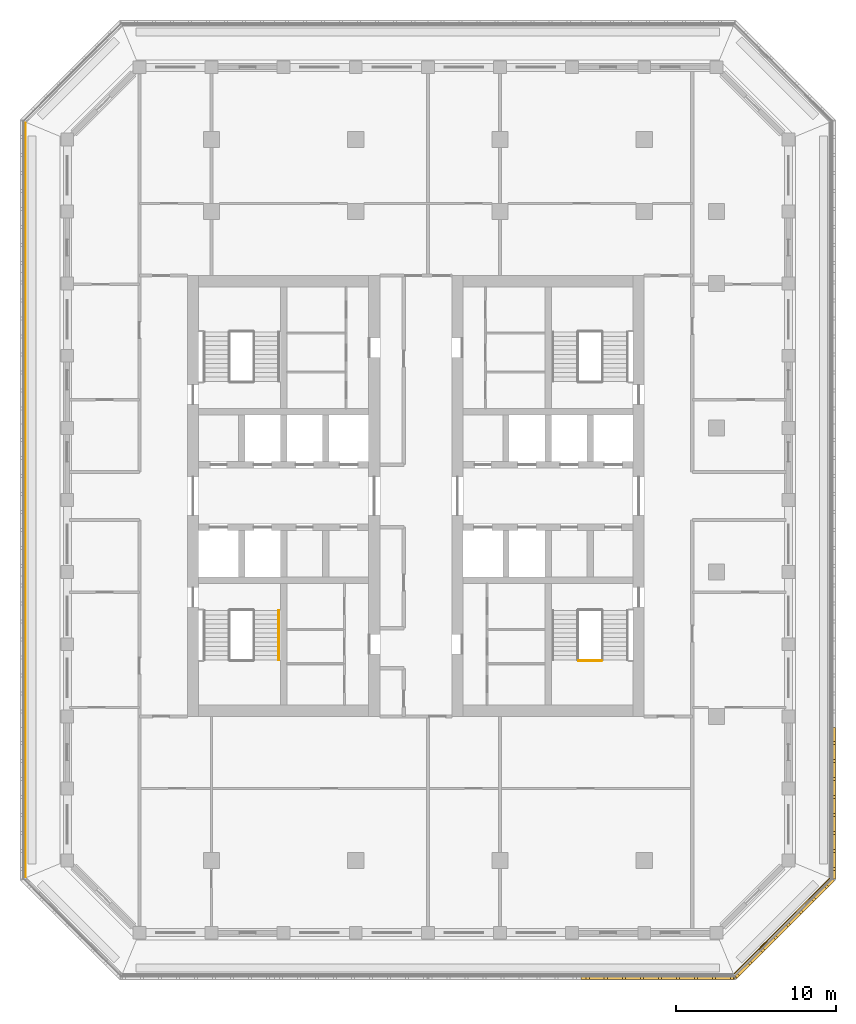
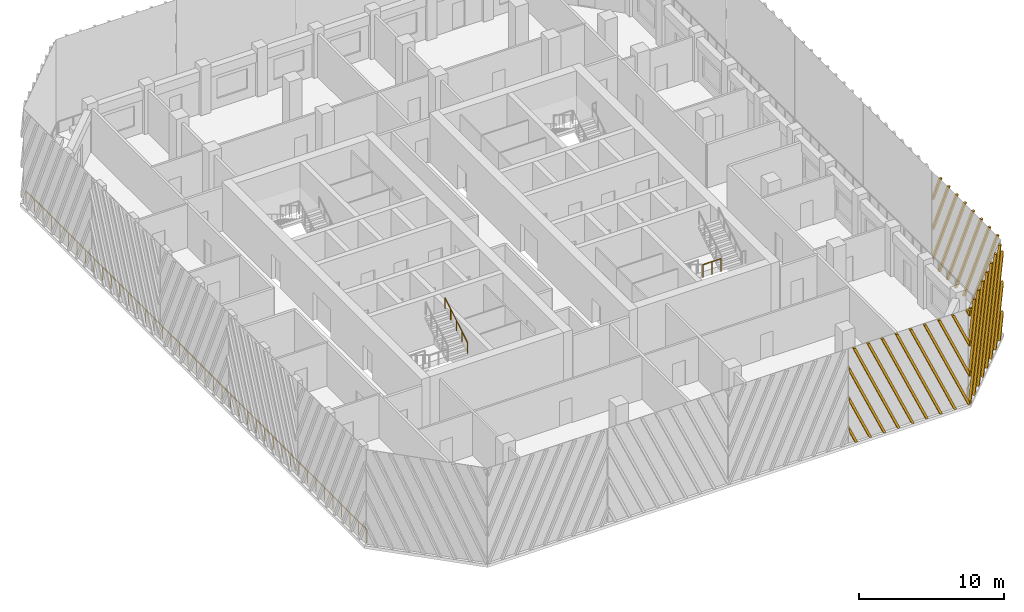
# One storey, part 11 of 17: 4 railings, 3 shading devices.
"""IFC4 building model written with IfcOpenShell, lengths in metres."""

from ifc_helpers import new_model, si_unit, direction, frame, origin, origin_2d, place, context, subcontext, project, spatial, polyline, circle, outline, extrude, source, transform, mapped, material, type_object, element, save


model = new_model("IFC4")

# Units and contexts
model_context = context("Model", 3, precision=1e-05, world=origin(), true_north=direction((0.0, 1.0)))
body_context = subcontext(model_context, "Body", "Model", "MODEL_VIEW")
ifc_project = project(units=[si_unit("LENGTHUNIT", "METRE"), si_unit("AREAUNIT", "SQUARE_METRE"), si_unit("VOLUMEUNIT", "CUBIC_METRE"), si_unit("PLANEANGLEUNIT", "RADIAN"), si_unit("MASSUNIT", "GRAM", prefix="KILO")], contexts=[model_context])

# Site, building, storey
site_placement = place(None, origin())
site = spatial("IfcSite", under=ifc_project, at=site_placement, CompositionType="ELEMENT")
building_placement = place(site_placement, origin())
building = spatial("IfcBuilding", under=site, at=building_placement, Name="Corbel Stack Research Tower", CompositionType="ELEMENT")
storey_placement = place(building_placement, frame((0.0, 0.0, 248.0)))
storey = spatial("IfcBuildingStorey", under=building, at=storey_placement, Name="L56", CompositionType="ELEMENT", Elevation=248.0)

# Railings
ifc_material_1 = material(Name="Steel S355", Category="steel")
railing_type_1 = type_object("IfcRailingType", Name="Stair guard 1100", PredefinedType="GUARDRAIL", material=ifc_material_1)
railing_1_placement = place(storey_placement, frame((13.89990234375, -5.530029296875, 2.050048828125)))
element("IfcRailing", 1, at=railing_1_placement, inside=storey, type_object=railing_type_1, Name="L56 ST-E1 stair guard 2", PredefinedType="GUARDRAIL", context=body_context, shape_type="SweptSolid", body=[
    extrude(circle(Radius=0.02392578125, at=origin_2d()), frame((0.0, 0.0, 1.076171875), z_axis=(1.0, 0.0, 0.0), x_axis=(0.0, 1.0, 0.0)), (0.0, 0.0, 1.0), 1.4501953125),
    extrude(circle(Radius=0.02099609375, at=origin_2d()), origin(), (0.0, 0.0, 1.0), 1.052001953125),
    extrude(circle(Radius=0.02099609375, at=origin_2d()), frame((0.72509765625, 0.0, 0.0)), (0.0, 0.0, 1.0), 1.052001953125),
    extrude(circle(Radius=0.02099609375, at=origin_2d()), frame((1.4501953125, 0.0, 0.0)), (0.0, 0.0, 1.0), 1.052001953125),
])
ifc_material_2 = material(Name="Steel S355", Category="steel")
railing_type_2 = type_object("IfcRailingType", Name="Stair handrail 900", PredefinedType="HANDRAIL", material=ifc_material_2)
railing_2_placement = place(storey_placement, frame((-4.800048828125, -5.47998046875, 2.220947265625)))
element("IfcRailing", 2, at=railing_2_placement, inside=storey, type_object=railing_type_2, Name="L56 ST-W1 stair handrail 2", PredefinedType="HANDRAIL", context=body_context, shape_type="SweptSolid", body=[
    extrude(circle(Radius=0.02392578125, at=origin_2d()), frame((0.0, 0.0, 0.8759765625), z_axis=(0.0, 0.853666305674, 0.52082035152), x_axis=(-1.0, 0.0, 0.0)), (0.0, 0.0, 1.0), 3.608154296875),
    extrude(circle(Radius=0.02099609375, at=origin_2d()), origin(), (0.0, 0.0, 1.0), 0.851806640625),
    extrude(circle(Radius=0.02099609375, at=origin_2d()), frame((0.0, 0.77001953125, 0.4697265625)), (0.0, 0.0, 1.0), 0.851806640625),
    extrude(circle(Radius=0.02099609375, at=origin_2d()), frame((0.0, 1.5400390625, 0.939453125)), (0.0, 0.0, 1.0), 0.851806640625),
    extrude(circle(Radius=0.02099609375, at=origin_2d()), frame((0.0, 2.31005859375, 1.409423828125)), (0.0, 0.0, 1.0), 0.851806640625),
    extrude(circle(Radius=0.02099609375, at=origin_2d()), frame((0.0, 3.080078125, 1.879150390625)), (0.0, 0.0, 1.0), 0.851806640625),
])
ifc_material_3 = material(Name="Powder-coated steel guard", Category="steel")
railing_type_3 = type_object("IfcRailingType", Name="Steel and glass guard 1100", PredefinedType="GUARDRAIL", material=ifc_material_3)
railing_3_placement = place(storey_placement, frame((23.627685546875, -25.04931640625, 0.0)))
element("IfcRailing", 3, at=railing_3_placement, inside=storey, type_object=railing_type_3, Name="Loggia guard L56 SE", PredefinedType="GUARDRAIL", context=body_context, shape_type="SweptSolid", body=[
    extrude(circle(Radius=0.02392578125, at=origin_2d()), frame((0.0, 0.0, 1.076171875), z_axis=(0.707106781187, 0.707106781187, 0.0), x_axis=(-0.707106781187, 0.707106781187, 0.0)), (0.0, 0.0, 1.0), 8.37451171875),
    extrude(circle(Radius=0.02099609375, at=origin_2d()), origin(), (0.0, 0.0, 1.0), 1.052001953125),
    extrude(circle(Radius=0.02099609375, at=origin_2d()), frame((0.845947265625, 0.845947265625, 0.0)), (0.0, 0.0, 1.0), 1.052001953125),
    extrude(circle(Radius=0.02099609375, at=origin_2d()), frame((1.69189453125, 1.69189453125, 0.0)), (0.0, 0.0, 1.0), 1.052001953125),
    extrude(circle(Radius=0.02099609375, at=origin_2d()), frame((2.537841796875, 2.537841796875, 0.0)), (0.0, 0.0, 1.0), 1.052001953125),
    extrude(circle(Radius=0.02099609375, at=origin_2d()), frame((3.3837890625, 3.3837890625, 0.0)), (0.0, 0.0, 1.0), 1.052001953125),
    extrude(circle(Radius=0.02099609375, at=origin_2d()), frame((4.229736328125, 4.229736328125, 0.0)), (0.0, 0.0, 1.0), 1.052001953125),
    extrude(circle(Radius=0.02099609375, at=origin_2d()), frame((5.07568359375, 5.07568359375, 0.0)), (0.0, 0.0, 1.0), 1.052001953125),
    extrude(circle(Radius=0.02099609375, at=origin_2d()), frame((5.921630859375, 5.921630859375, 0.0)), (0.0, 0.0, 1.0), 1.052001953125),
])
railing_4_placement = place(storey_placement, frame((-20.60009765625, 28.00537109375, 0.0)))
element("IfcRailing", 4, at=railing_4_placement, inside=storey, type_object=railing_type_3, Name="Loggia guard L56 W", PredefinedType="GUARDRAIL", context=body_context, shape_type="SweptSolid", body=[
    extrude(circle(Radius=0.02392578125, at=origin_2d()), frame((0.0, 0.0, 1.076171875), z_axis=(0.0, -1.0, 0.0), x_axis=(1.0, 0.0, 0.0)), (0.0, 0.0, 1.0), 47.0107421875),
    extrude(circle(Radius=0.02099609375, at=origin_2d()), origin(), (0.0, 0.0, 1.0), 1.052001953125),
    extrude(circle(Radius=0.02099609375, at=origin_2d()), frame((0.0, -1.17529296875, 0.0)), (0.0, 0.0, 1.0), 1.052001953125),
    extrude(circle(Radius=0.02099609375, at=origin_2d()), frame((0.0, -2.3505859375, 0.0)), (0.0, 0.0, 1.0), 1.052001953125),
    extrude(circle(Radius=0.02099609375, at=origin_2d()), frame((0.0, -3.52587890625, 0.0)), (0.0, 0.0, 1.0), 1.052001953125),
    extrude(circle(Radius=0.02099609375, at=origin_2d()), frame((0.0, -4.701171875, 0.0)), (0.0, 0.0, 1.0), 1.052001953125),
    extrude(circle(Radius=0.02099609375, at=origin_2d()), frame((0.0, -5.87646484375, 0.0)), (0.0, 0.0, 1.0), 1.052001953125),
    extrude(circle(Radius=0.02099609375, at=origin_2d()), frame((0.0, -7.051513671875, 0.0)), (0.0, 0.0, 1.0), 1.052001953125),
    extrude(circle(Radius=0.02099609375, at=origin_2d()), frame((0.0, -8.226806640625, 0.0)), (0.0, 0.0, 1.0), 1.052001953125),
    extrude(circle(Radius=0.02099609375, at=origin_2d()), frame((0.0, -9.402099609375, 0.0)), (0.0, 0.0, 1.0), 1.052001953125),
    extrude(circle(Radius=0.02099609375, at=origin_2d()), frame((0.0, -10.577392578125, 0.0)), (0.0, 0.0, 1.0), 1.052001953125),
    extrude(circle(Radius=0.02099609375, at=origin_2d()), frame((0.0, -11.752685546875, 0.0)), (0.0, 0.0, 1.0), 1.052001953125),
    extrude(circle(Radius=0.02099609375, at=origin_2d()), frame((0.0, -12.927978515625, 0.0)), (0.0, 0.0, 1.0), 1.052001953125),
    extrude(circle(Radius=0.02099609375, at=origin_2d()), frame((0.0, -14.103271484375, 0.0)), (0.0, 0.0, 1.0), 1.052001953125),
    extrude(circle(Radius=0.02099609375, at=origin_2d()), frame((0.0, -15.278564453125, 0.0)), (0.0, 0.0, 1.0), 1.052001953125),
    extrude(circle(Radius=0.02099609375, at=origin_2d()), frame((0.0, -16.453857421875, 0.0)), (0.0, 0.0, 1.0), 1.052001953125),
    extrude(circle(Radius=0.02099609375, at=origin_2d()), frame((0.0, -17.62890625, 0.0)), (0.0, 0.0, 1.0), 1.052001953125),
    extrude(circle(Radius=0.02099609375, at=origin_2d()), frame((0.0, -18.80419921875, 0.0)), (0.0, 0.0, 1.0), 1.052001953125),
    extrude(circle(Radius=0.02099609375, at=origin_2d()), frame((0.0, -19.9794921875, 0.0)), (0.0, 0.0, 1.0), 1.052001953125),
    extrude(circle(Radius=0.02099609375, at=origin_2d()), frame((0.0, -21.15478515625, 0.0)), (0.0, 0.0, 1.0), 1.052001953125),
    extrude(circle(Radius=0.02099609375, at=origin_2d()), frame((0.0, -22.330078125, 0.0)), (0.0, 0.0, 1.0), 1.052001953125),
    extrude(circle(Radius=0.02099609375, at=origin_2d()), frame((0.0, -23.50537109375, 0.0)), (0.0, 0.0, 1.0), 1.052001953125),
    extrude(circle(Radius=0.02099609375, at=origin_2d()), frame((0.0, -24.6806640625, 0.0)), (0.0, 0.0, 1.0), 1.052001953125),
    extrude(circle(Radius=0.02099609375, at=origin_2d()), frame((0.0, -25.85595703125, 0.0)), (0.0, 0.0, 1.0), 1.052001953125),
    extrude(circle(Radius=0.02099609375, at=origin_2d()), frame((0.0, -27.03125, 0.0)), (0.0, 0.0, 1.0), 1.052001953125),
    extrude(circle(Radius=0.02099609375, at=origin_2d()), frame((0.0, -28.20654296875, 0.0)), (0.0, 0.0, 1.0), 1.052001953125),
    extrude(circle(Radius=0.02099609375, at=origin_2d()), frame((0.0, -29.3818359375, 0.0)), (0.0, 0.0, 1.0), 1.052001953125),
    extrude(circle(Radius=0.02099609375, at=origin_2d()), frame((0.0, -30.556884765625, 0.0)), (0.0, 0.0, 1.0), 1.052001953125),
    extrude(circle(Radius=0.02099609375, at=origin_2d()), frame((0.0, -31.732177734375, 0.0)), (0.0, 0.0, 1.0), 1.052001953125),
    extrude(circle(Radius=0.02099609375, at=origin_2d()), frame((0.0, -32.907470703125, 0.0)), (0.0, 0.0, 1.0), 1.052001953125),
    extrude(circle(Radius=0.02099609375, at=origin_2d()), frame((0.0, -34.082763671875, 0.0)), (0.0, 0.0, 1.0), 1.052001953125),
    extrude(circle(Radius=0.02099609375, at=origin_2d()), frame((0.0, -35.258056640625, 0.0)), (0.0, 0.0, 1.0), 1.052001953125),
    extrude(circle(Radius=0.02099609375, at=origin_2d()), frame((0.0, -36.433349609375, 0.0)), (0.0, 0.0, 1.0), 1.052001953125),
    extrude(circle(Radius=0.02099609375, at=origin_2d()), frame((0.0, -37.608642578125, 0.0)), (0.0, 0.0, 1.0), 1.052001953125),
    extrude(circle(Radius=0.02099609375, at=origin_2d()), frame((0.0, -38.783935546875, 0.0)), (0.0, 0.0, 1.0), 1.052001953125),
    extrude(circle(Radius=0.02099609375, at=origin_2d()), frame((0.0, -39.959228515625, 0.0)), (0.0, 0.0, 1.0), 1.052001953125),
    extrude(circle(Radius=0.02099609375, at=origin_2d()), frame((0.0, -41.13427734375, 0.0)), (0.0, 0.0, 1.0), 1.052001953125),
    extrude(circle(Radius=0.02099609375, at=origin_2d()), frame((0.0, -42.3095703125, 0.0)), (0.0, 0.0, 1.0), 1.052001953125),
    extrude(circle(Radius=0.02099609375, at=origin_2d()), frame((0.0, -43.48486328125, 0.0)), (0.0, 0.0, 1.0), 1.052001953125),
    extrude(circle(Radius=0.02099609375, at=origin_2d()), frame((0.0, -44.66015625, 0.0)), (0.0, 0.0, 1.0), 1.052001953125),
    extrude(circle(Radius=0.02099609375, at=origin_2d()), frame((0.0, -45.83544921875, 0.0)), (0.0, 0.0, 1.0), 1.052001953125),
    extrude(circle(Radius=0.02099609375, at=origin_2d()), frame((0.0, -47.0107421875, 0.0)), (0.0, 0.0, 1.0), 1.052001953125),
])

# Shading devices
ifc_material_4 = material(Name="Precast terracotta", Category="masonry")
shading_device_type = type_object("IfcShadingDeviceType", Name="Terracotta screen panel", PredefinedType="USERDEFINED", material=ifc_material_4)
shared_shape_1 = source(origin(), body_context, "Body", "SweptSolid", [
    extrude(outline(polyline([(0.66455078125, 0.0), (0.0, 1.49267578125), (0.0, 1.06591796875), (0.474609375, 0.0), (0.66455078125, 0.0)])), frame((0.0, 0.0, 0.0), z_axis=(0.0, -1.0, 0.0), x_axis=(1.0, 0.0, 0.0)), (0.0, 0.0, 1.0), 0.179931640625),
    extrude(outline(polyline([(1.78955078125, 0.0), (0.0, 4.019287109375), (0.0, 3.592529296875), (1.599609375, 0.0), (1.78955078125, 0.0)])), frame((0.0, 0.0, 0.0), z_axis=(0.0, -1.0, 0.0), x_axis=(1.0, 0.0, 0.0)), (0.0, 0.0, 1.0), 0.179931640625),
    extrude(outline(polyline([(2.91455078125, 0.0), (0.0, 6.546142578125), (0.0, 6.119384765625), (2.724609375, 0.0), (2.91455078125, 0.0)])), frame((0.0, 0.0, 0.0), z_axis=(0.0, -1.0, 0.0), x_axis=(1.0, 0.0, 0.0)), (0.0, 0.0, 1.0), 0.179931640625),
    extrude(outline(polyline([(4.03955078125, 0.0), (0.5, 7.949951171875), (0.31005859375, 7.949951171875), (3.849609375, 0.0), (4.03955078125, 0.0)])), frame((0.0, 0.0, 0.0), z_axis=(0.0, -1.0, 0.0), x_axis=(1.0, 0.0, 0.0)), (0.0, 0.0, 1.0), 0.179931640625),
    extrude(outline(polyline([(5.16455078125, 0.0), (1.625, 7.949951171875), (1.43505859375, 7.949951171875), (4.974609375, 0.0), (5.16455078125, 0.0)])), frame((0.0, 0.0, 0.0), z_axis=(0.0, -1.0, 0.0), x_axis=(1.0, 0.0, 0.0)), (0.0, 0.0, 1.0), 0.179931640625),
    extrude(outline(polyline([(6.28955078125, 0.0), (2.75, 7.949951171875), (2.56005859375, 7.949951171875), (6.099609375, 0.0), (6.28955078125, 0.0)])), frame((0.0, 0.0, 0.0), z_axis=(0.0, -1.0, 0.0), x_axis=(1.0, 0.0, 0.0)), (0.0, 0.0, 1.0), 0.179931640625),
    extrude(outline(polyline([(7.41455078125, 0.0), (3.875, 7.949951171875), (3.68505859375, 7.949951171875), (7.224609375, 0.0), (7.41455078125, 0.0)])), frame((0.0, 0.0, 0.0), z_axis=(0.0, -1.0, 0.0), x_axis=(1.0, 0.0, 0.0)), (0.0, 0.0, 1.0), 0.179931640625),
    extrude(outline(polyline([(8.53955078125, 0.0), (5.0, 7.949951171875), (4.81005859375, 7.949951171875), (8.349609375, 0.0), (8.53955078125, 0.0)])), frame((0.0, 0.0, 0.0), z_axis=(0.0, -1.0, 0.0), x_axis=(1.0, 0.0, 0.0)), (0.0, 0.0, 1.0), 0.179931640625),
    extrude(outline(polyline([(9.569580078125, 0.0), (9.569580078125, 0.21337890625), (6.125, 7.949951171875), (5.93505859375, 7.949951171875), (9.474609375, 0.0), (9.569580078125, 0.0)])), frame((0.0, 0.0, 0.0), z_axis=(0.0, -1.0, 0.0), x_axis=(1.0, 0.0, 0.0)), (0.0, 0.0, 1.0), 0.179931640625),
    extrude(outline(polyline([(7.25, 7.949951171875), (7.06005859375, 7.949951171875), (9.569580078125, 2.3134765625), (9.569580078125, 2.740234375), (7.25, 7.949951171875)])), frame((0.0, 0.0, 0.0), z_axis=(0.0, -1.0, 0.0), x_axis=(1.0, 0.0, 0.0)), (0.0, 0.0, 1.0), 0.179931640625),
    extrude(outline(polyline([(8.375, 7.949951171875), (8.18505859375, 7.949951171875), (9.569580078125, 4.840087890625), (9.569580078125, 5.26708984375), (8.375, 7.949951171875)])), frame((0.0, 0.0, 0.0), z_axis=(0.0, -1.0, 0.0), x_axis=(1.0, 0.0, 0.0)), (0.0, 0.0, 1.0), 0.179931640625),
    extrude(outline(polyline([(9.5, 7.949951171875), (9.31005859375, 7.949951171875), (9.569580078125, 7.366943359375), (9.569580078125, 7.793701171875), (9.5, 7.949951171875)])), frame((0.0, 0.0, 0.0), z_axis=(0.0, -1.0, 0.0), x_axis=(1.0, 0.0, 0.0)), (0.0, 0.0, 1.0), 0.179931640625),
])
shading_device_1_placement = place(storey_placement, frame((14.069580078125, -25.25, 0.0), z_axis=(0.0, 0.0, 1.0), x_axis=(1.0, 0.0, 0.0)))
element("IfcShadingDevice", 5, at=shading_device_1_placement, inside=storey, type_object=shading_device_type, Name="Terracotta screen L56 S4", ObjectType="SCREEN", PredefinedType="USERDEFINED", context=body_context, shape_type="MappedRepresentation", body=[
    mapped(shared_shape_1, transform((0.0, 0.0, 0.0))),
])
shared_shape_2 = source(origin(), body_context, "Body", "SweptSolid", [
    extrude(outline(polyline([(0.259521484375, 7.949951171875), (0.069580078125, 7.949951171875), (0.0, 7.793701171875), (0.0, 7.366943359375), (0.259521484375, 7.949951171875)])), frame((0.0, 0.0, 0.0), z_axis=(0.0, -1.0, 0.0), x_axis=(1.0, 0.0, 0.0)), (0.0, 0.0, 1.0), 0.179931640625),
    extrude(outline(polyline([(1.384521484375, 7.949951171875), (1.194580078125, 7.949951171875), (0.0, 5.26708984375), (0.0, 4.840087890625), (1.384521484375, 7.949951171875)])), frame((0.0, 0.0, 0.0), z_axis=(0.0, -1.0, 0.0), x_axis=(1.0, 0.0, 0.0)), (0.0, 0.0, 1.0), 0.179931640625),
    extrude(outline(polyline([(2.509521484375, 7.949951171875), (2.319580078125, 7.949951171875), (0.0, 2.740234375), (0.0, 2.3134765625), (2.509521484375, 7.949951171875)])), frame((0.0, 0.0, 0.0), z_axis=(0.0, -1.0, 0.0), x_axis=(1.0, 0.0, 0.0)), (0.0, 0.0, 1.0), 0.179931640625),
    extrude(outline(polyline([(0.094970703125, 0.0), (3.634521484375, 7.949951171875), (3.444580078125, 7.949951171875), (0.0, 0.21337890625), (0.0, 0.0), (0.094970703125, 0.0)])), frame((0.0, 0.0, 0.0), z_axis=(0.0, -1.0, 0.0), x_axis=(1.0, 0.0, 0.0)), (0.0, 0.0, 1.0), 0.179931640625),
    extrude(outline(polyline([(1.219970703125, 0.0), (4.759521484375, 7.949951171875), (4.569580078125, 7.949951171875), (1.030029296875, 0.0), (1.219970703125, 0.0)])), frame((0.0, 0.0, 0.0), z_axis=(0.0, -1.0, 0.0), x_axis=(1.0, 0.0, 0.0)), (0.0, 0.0, 1.0), 0.179931640625),
    extrude(outline(polyline([(2.344970703125, 0.0), (5.884521484375, 7.949951171875), (5.694580078125, 7.949951171875), (2.155029296875, 0.0), (2.344970703125, 0.0)])), frame((0.0, 0.0, 0.0), z_axis=(0.0, -1.0, 0.0), x_axis=(1.0, 0.0, 0.0)), (0.0, 0.0, 1.0), 0.179931640625),
    extrude(outline(polyline([(3.469970703125, 0.0), (7.009521484375, 7.949951171875), (6.819580078125, 7.949951171875), (3.280029296875, 0.0), (3.469970703125, 0.0)])), frame((0.0, 0.0, 0.0), z_axis=(0.0, -1.0, 0.0), x_axis=(1.0, 0.0, 0.0)), (0.0, 0.0, 1.0), 0.179931640625),
    extrude(outline(polyline([(4.594970703125, 0.0), (8.134521484375, 7.949951171875), (7.944580078125, 7.949951171875), (4.405029296875, 0.0), (4.594970703125, 0.0)])), frame((0.0, 0.0, 0.0), z_axis=(0.0, -1.0, 0.0), x_axis=(1.0, 0.0, 0.0)), (0.0, 0.0, 1.0), 0.179931640625),
    extrude(outline(polyline([(5.719970703125, 0.0), (8.64208984375, 6.563232421875), (8.64208984375, 6.989990234375), (5.530029296875, 0.0), (5.719970703125, 0.0)])), frame((0.0, 0.0, 0.0), z_axis=(0.0, -1.0, 0.0), x_axis=(1.0, 0.0, 0.0)), (0.0, 0.0, 1.0), 0.179931640625),
    extrude(outline(polyline([(6.844970703125, 0.0), (8.64208984375, 4.036376953125), (8.64208984375, 4.463134765625), (6.655029296875, 0.0), (6.844970703125, 0.0)])), frame((0.0, 0.0, 0.0), z_axis=(0.0, -1.0, 0.0), x_axis=(1.0, 0.0, 0.0)), (0.0, 0.0, 1.0), 0.179931640625),
    extrude(outline(polyline([(7.969970703125, 0.0), (8.64208984375, 1.509521484375), (8.64208984375, 1.936279296875), (7.780029296875, 0.0), (7.969970703125, 0.0)])), frame((0.0, 0.0, 0.0), z_axis=(0.0, -1.0, 0.0), x_axis=(1.0, 0.0, 0.0)), (0.0, 0.0, 1.0), 0.179931640625),
])
shading_device_2_placement = place(storey_placement, frame((23.63916015625, -25.25, 0.0), z_axis=(0.0, 0.0, 1.0), x_axis=(0.707106781187, 0.707106781187, 0.0)))
element("IfcShadingDevice", 6, at=shading_device_2_placement, inside=storey, type_object=shading_device_type, Name="Terracotta screen L56 SE1", ObjectType="SCREEN", PredefinedType="USERDEFINED", context=body_context, shape_type="MappedRepresentation", body=[
    mapped(shared_shape_2, transform((0.0, 0.0, 0.0))),
])
shared_shape_3 = source(origin(), body_context, "Body", "SweptSolid", [
    extrude(outline(polyline([(0.862060546875, 0.0), (0.0, 1.936279296875), (0.0, 1.509521484375), (0.672119140625, 0.0), (0.862060546875, 0.0)])), frame((0.0, 0.0, 0.0), z_axis=(0.0, -1.0, 0.0), x_axis=(1.0, 0.0, 0.0)), (0.0, 0.0, 1.0), 0.179931640625),
    extrude(outline(polyline([(1.987060546875, 0.0), (0.0, 4.463134765625), (0.0, 4.036376953125), (1.797119140625, 0.0), (1.987060546875, 0.0)])), frame((0.0, 0.0, 0.0), z_axis=(0.0, -1.0, 0.0), x_axis=(1.0, 0.0, 0.0)), (0.0, 0.0, 1.0), 0.179931640625),
    extrude(outline(polyline([(3.112060546875, 0.0), (0.0, 6.989990234375), (0.0, 6.563232421875), (2.922119140625, 0.0), (3.112060546875, 0.0)])), frame((0.0, 0.0, 0.0), z_axis=(0.0, -1.0, 0.0), x_axis=(1.0, 0.0, 0.0)), (0.0, 0.0, 1.0), 0.179931640625),
    extrude(outline(polyline([(4.237060546875, 0.0), (0.697509765625, 7.949951171875), (0.507568359375, 7.949951171875), (4.047119140625, 0.0), (4.237060546875, 0.0)])), frame((0.0, 0.0, 0.0), z_axis=(0.0, -1.0, 0.0), x_axis=(1.0, 0.0, 0.0)), (0.0, 0.0, 1.0), 0.179931640625),
    extrude(outline(polyline([(5.362060546875, 0.0), (1.822509765625, 7.949951171875), (1.632568359375, 7.949951171875), (5.172119140625, 0.0), (5.362060546875, 0.0)])), frame((0.0, 0.0, 0.0), z_axis=(0.0, -1.0, 0.0), x_axis=(1.0, 0.0, 0.0)), (0.0, 0.0, 1.0), 0.179931640625),
    extrude(outline(polyline([(6.487060546875, 0.0), (2.947509765625, 7.949951171875), (2.757568359375, 7.949951171875), (6.297119140625, 0.0), (6.487060546875, 0.0)])), frame((0.0, 0.0, 0.0), z_axis=(0.0, -1.0, 0.0), x_axis=(1.0, 0.0, 0.0)), (0.0, 0.0, 1.0), 0.179931640625),
    extrude(outline(polyline([(7.612060546875, 0.0), (4.072509765625, 7.949951171875), (3.882568359375, 7.949951171875), (7.422119140625, 0.0), (7.612060546875, 0.0)])), frame((0.0, 0.0, 0.0), z_axis=(0.0, -1.0, 0.0), x_axis=(1.0, 0.0, 0.0)), (0.0, 0.0, 1.0), 0.179931640625),
    extrude(outline(polyline([(8.737060546875, 0.0), (5.197509765625, 7.949951171875), (5.007568359375, 7.949951171875), (8.547119140625, 0.0), (8.737060546875, 0.0)])), frame((0.0, 0.0, 0.0), z_axis=(0.0, -1.0, 0.0), x_axis=(1.0, 0.0, 0.0)), (0.0, 0.0, 1.0), 0.179931640625),
    extrude(outline(polyline([(6.322509765625, 7.949951171875), (6.132568359375, 7.949951171875), (9.45556640625, 0.486328125), (9.45556640625, 0.9130859375), (6.322509765625, 7.949951171875)])), frame((0.0, 0.0, 0.0), z_axis=(0.0, -1.0, 0.0), x_axis=(1.0, 0.0, 0.0)), (0.0, 0.0, 1.0), 0.179931640625),
    extrude(outline(polyline([(7.447509765625, 7.949951171875), (7.257568359375, 7.949951171875), (9.45556640625, 3.01318359375), (9.45556640625, 3.439697265625), (7.447509765625, 7.949951171875)])), frame((0.0, 0.0, 0.0), z_axis=(0.0, -1.0, 0.0), x_axis=(1.0, 0.0, 0.0)), (0.0, 0.0, 1.0), 0.179931640625),
    extrude(outline(polyline([(8.572509765625, 7.949951171875), (8.382568359375, 7.949951171875), (9.45556640625, 5.539794921875), (9.45556640625, 5.966552734375), (8.572509765625, 7.949951171875)])), frame((0.0, 0.0, 0.0), z_axis=(0.0, -1.0, 0.0), x_axis=(1.0, 0.0, 0.0)), (0.0, 0.0, 1.0), 0.179931640625),
])
shading_device_3_placement = place(storey_placement, frame((29.75, -19.13916015625, 0.0), z_axis=(0.0, 0.0, 1.0), x_axis=(0.0, 1.0, 0.0)))
element("IfcShadingDevice", 7, at=shading_device_3_placement, inside=storey, type_object=shading_device_type, Name="Terracotta screen L56 E1", ObjectType="SCREEN", PredefinedType="USERDEFINED", context=body_context, shape_type="MappedRepresentation", body=[
    mapped(shared_shape_3, transform((0.0, 0.0, 0.0))),
])

save(model, "model.ifc")
